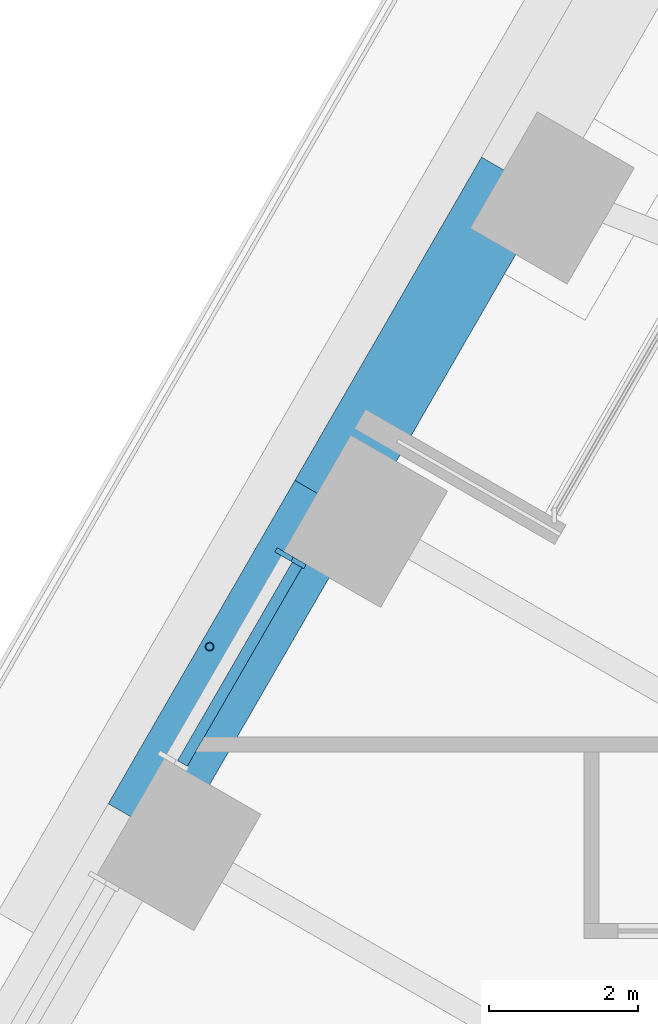
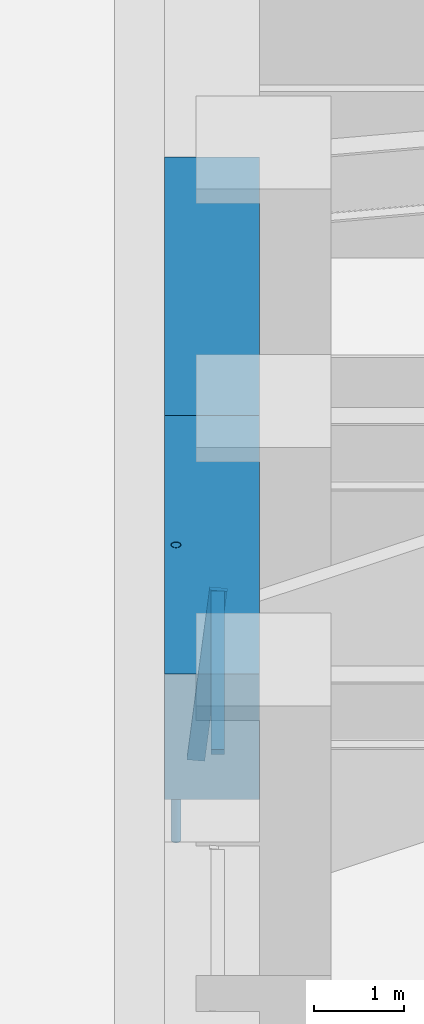
# One storey, part 7 of 24: 3 members, 2 beams, 1 element without a shape of its own.
"""IFC4 building model written with IfcOpenShell, lengths in metres."""

from ifc_helpers import new_model, si_unit, direction, frame, origin, origin_2d, place, context, subcontext, project, spatial, rectangle, hollow_circle, extrude, material, material_profile, profile_set, type_object, element, aggregate, save


model = new_model("IFC4")

# Units and contexts
model_context = context("Model", 3, precision=1e-05, world=origin(), true_north=direction((0.0, 1.0)))
body_context = subcontext(model_context, "Body", "Model", "MODEL_VIEW")
ifc_project = project(units=[si_unit("LENGTHUNIT", "METRE"), si_unit("AREAUNIT", "SQUARE_METRE"), si_unit("VOLUMEUNIT", "CUBIC_METRE"), si_unit("PLANEANGLEUNIT", "RADIAN"), si_unit("MASSUNIT", "GRAM", prefix="KILO")], contexts=[model_context])

# Site, building, storey
site_placement = place(None, origin())
site = spatial("IfcSite", under=ifc_project, at=site_placement, CompositionType="ELEMENT")
building_placement = place(site_placement, origin())
building = spatial("IfcBuilding", under=site, at=building_placement, Name="Tarfa Lantern Tower", CompositionType="ELEMENT")
storey_placement = place(building_placement, frame((0.0, 0.0, 127.89990234375)))
storey = spatial("IfcBuildingStorey", under=building, at=storey_placement, Name="L28", CompositionType="ELEMENT", Elevation=127.89990234375)

# Curtain wall, members
ifc_material_1 = material(Name="Aluminium framed curtain wall", Category="aluminium")
curtain_wall_type = type_object("IfcCurtainWallType", Name="CW2 CANTED GLAZING MID ZONE 2300", PredefinedType="USERDEFINED", material=ifc_material_1)
curtain_wall_placement = place(storey_placement, origin())
curtain_wall = element("IfcCurtainWall", 1, at=curtain_wall_placement, inside=storey, type_object=curtain_wall_type, Name="CW2 NWB L28", ObjectType="CURTAIN WALL", PredefinedType="USERDEFINED")
ifc_material_2 = material(Name="Aluminium mullion", Category="aluminium")
ifc_material_profile_1 = material_profile(ifc_material_2, rectangle(XDim=0.06494140625, YDim=0.199951171875, at=origin_2d()), Name="AL MULLION 65x200")
ifc_profile_set_1 = profile_set([ifc_material_profile_1], Name="Aluminium mullion")
member_type_1 = type_object("IfcMemberType", Name="CWM1 MULLION 65x200", PredefinedType="MULLION", material=ifc_profile_set_1)
member_1_placement = place(storey_placement, frame((-30.161376953125, 10.55908203125, 0.0), z_axis=(0.093599904765, -0.0540283554, 0.994142844183), x_axis=(0.499919672301, 0.866071776036, 0.0)))
member_1 = element("IfcMember", 2, at=member_1_placement, type_object=member_type_1, Name="CW2 mullion 1", PredefinedType="MULLION", context=body_context, shape_type="SweptSolid", body=[
    extrude(rectangle(XDim=0.06494140625, YDim=0.199951171875, at=origin_2d()), origin(), (0.0, 0.0, 1.0), 2.313720703125),
])
ifc_material_3 = material(Name="Aluminium transom", Category="aluminium")
ifc_material_profile_2 = material_profile(ifc_material_3, rectangle(XDim=0.14990234375, YDim=0.06494140625, at=origin_2d()), Name="AL TRANSOM 150x65")
ifc_profile_set_2 = profile_set([ifc_material_profile_2], Name="Aluminium transom")
member_type_2 = type_object("IfcMemberType", Name="CWT1 TRANSOM 150x65", PredefinedType="USERDEFINED", material=ifc_profile_set_2)
member_2_placement = place(storey_placement, frame((-29.964111328125, 10.40771484375, 2.267578125), z_axis=(-0.500008936691, -0.866020244122, 0.0), x_axis=(0.866020244122, -0.500008936691, 0.0)))
member_2 = element("IfcMember", 3, at=member_2_placement, type_object=member_type_2, Name="CW2 transom 1.2", ObjectType="TRANSOM", PredefinedType="USERDEFINED", context=body_context, shape_type="SweptSolid", body=[
    extrude(rectangle(XDim=0.14990234375, YDim=0.06494140625, at=origin_2d()), origin(), (0.0, 0.0, 1.0), 3.07373046875),
])
aggregate(curtain_wall, [member_1, member_2])

# Beams
ifc_material_4 = material(Name="Concrete C80/95", Category="concrete")
ifc_material_profile_3 = material_profile(ifc_material_4, rectangle(XDim=1.050048828125, YDim=1.699951171875, at=origin_2d()), Name="RC 1050x1700")
ifc_profile_set_3 = profile_set([ifc_material_profile_3], Name="Concrete C80/95")
beam_type = type_object("IfcBeamType", Name="RB2 RC 1050x1700", PredefinedType="BEAM", material=ifc_profile_set_3)
for number, where, z_axis, x_axis, name in (
    (4, (-27.037353515625, 15.610107421875, 3.150146484375), (-0.499964603504, -0.866045838996, 0.0), (0.866045838996, -0.499964603504, 0.0), "Edge beam NW3"),
    (5, (-29.5390625, 11.276611328125, 3.150146484375), (-0.500022324899, -0.866012514114, 0.0), (0.866012514114, -0.500022324899, 0.0), "Edge beam NW4"),
):
    element("IfcBeam", number, at=place(storey_placement, frame(where, z_axis=z_axis, x_axis=x_axis)), inside=storey, type_object=beam_type, Name=name, PredefinedType="BEAM", context=body_context, shape_type="SweptSolid", body=[
        extrude(rectangle(XDim=1.050048828125, YDim=1.699951171875, at=origin_2d()), origin(), (0.0, 0.0, 1.0), 5.003662109375),
    ])

# Member
ifc_material_5 = material(Name="Steel S355", Category="steel")
ifc_material_profile_4 = material_profile(ifc_material_5, hollow_circle(Radius=0.05712890625, WallThickness=0.00634765625, at=origin_2d()), Name="CHS114.3x6.3")
ifc_profile_set_4 = profile_set([ifc_material_profile_4], Name="Steel S355")
member_type_3 = type_object("IfcMemberType", Name="TR1 GREEN WALL TRELLIS CHS114.3x6.3", PredefinedType="USERDEFINED", material=ifc_profile_set_4)
member_3_placement = place(storey_placement, frame((-31.136474609375, 9.31005859375, 0.0), z_axis=(0.0, 0.0, 1.0), x_axis=(1.0, 0.0, 0.0)))
element("IfcMember", 6, at=member_3_placement, inside=storey, type_object=member_type_3, Name="Trellis post NW 2", ObjectType="TRELLIS", PredefinedType="USERDEFINED", context=body_context, shape_type="SweptSolid", body=[
    extrude(hollow_circle(Radius=0.05712890625, WallThickness=0.00634765625, at=origin_2d()), origin(), (0.0, 0.0, 1.0), 4.0),
])

save(model, "model.ifc")
